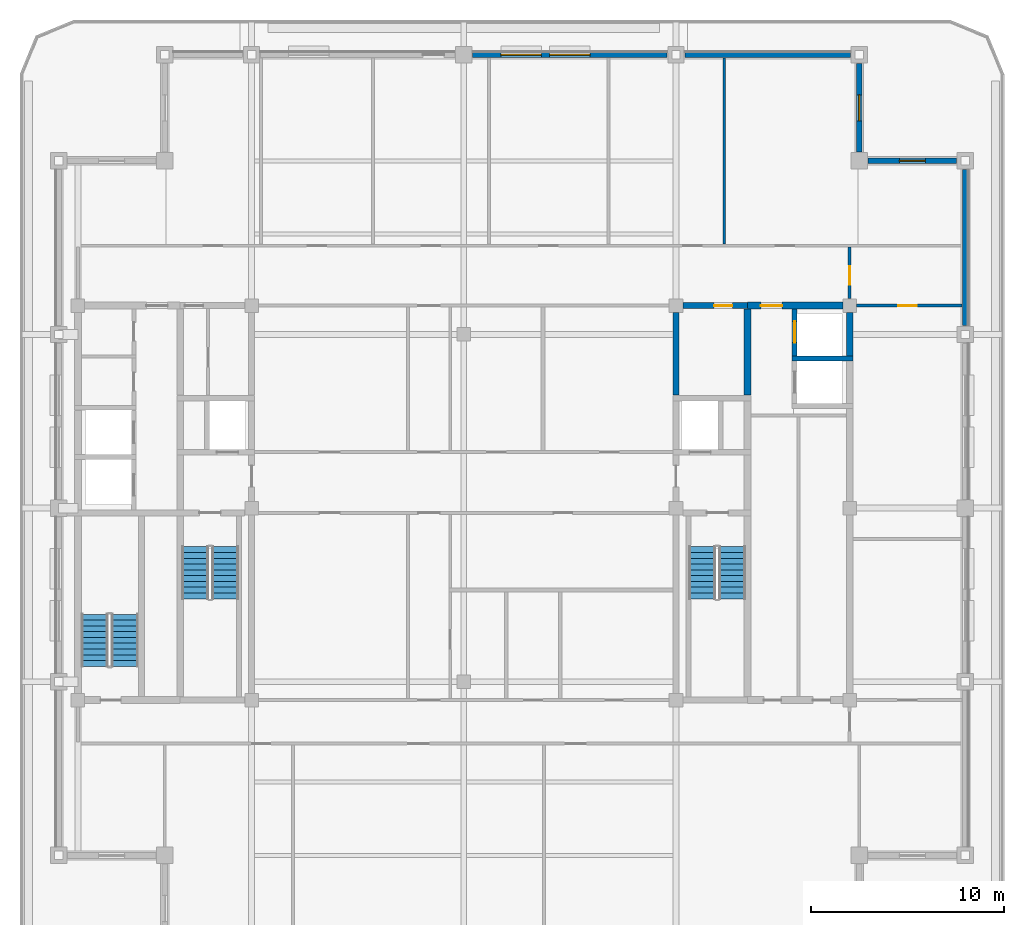
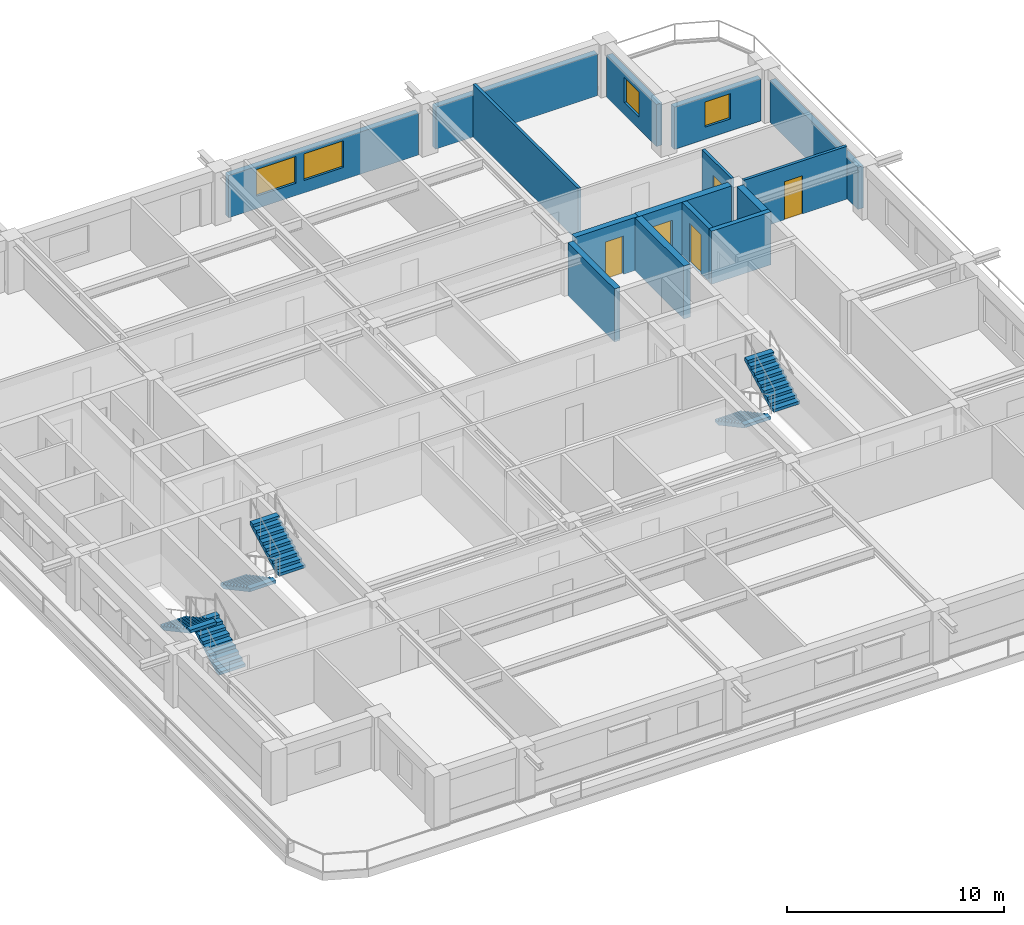
# One storey, part 6 of 11: 15 walls, 6 stair flights, 5 doors, 4 windows, 9 openings, 3 elements without a shape of their own.
"""IFC4 building model written with IfcOpenShell, lengths in metres."""

from ifc_helpers import new_model, si_unit, direction, frame, frame_2d, origin, place, context, subcontext, project, spatial, polyline, rectangle, outline, extrude, material, layer, layer_set, type_object, element, fill, aggregate, save


model = new_model("IFC4")

# Units and contexts
model_context = context("Model", 3, precision=1e-05, world=origin(), true_north=direction((0.0, 1.0)))
body_context = subcontext(model_context, "Body", "Model", "MODEL_VIEW")
ifc_project = project(units=[si_unit("LENGTHUNIT", "METRE"), si_unit("AREAUNIT", "SQUARE_METRE"), si_unit("VOLUMEUNIT", "CUBIC_METRE"), si_unit("PLANEANGLEUNIT", "RADIAN"), si_unit("MASSUNIT", "GRAM", prefix="KILO")], contexts=[model_context])

# Site, building, storey
site_placement = place(None, origin())
site = spatial("IfcSite", under=ifc_project, at=site_placement, CompositionType="ELEMENT")
building_placement = place(site_placement, origin())
building = spatial("IfcBuilding", under=site, at=building_placement, Name="Zulmaris Gate Convention Tower", CompositionType="ELEMENT")
storey_placement = place(building_placement, frame((0.0, 0.0, 239.739990234375)))
storey = spatial("IfcBuildingStorey", under=building, at=storey_placement, Name="L63", CompositionType="ELEMENT", Elevation=239.739990234375)

# Wall
ifc_material_1 = material(Name="Concrete C50/60", Category="concrete")
ifc_layer_1 = layer(ifc_material_1, 0.25, Name="Concrete C50/60")
ifc_layer_set_1 = layer_set([ifc_layer_1], Name="Concrete C50/60")
wall_type_1 = type_object("IfcWallType", Name="CORE-250", PredefinedType="SOLIDWALL", material=ifc_layer_set_1)
wall_1_placement = place(storey_placement, frame((17.02490234375, 7.75, 0.0), z_axis=(0.0, 0.0, 1.0), x_axis=(1.0, 0.0, 0.0)))
element("IfcWall", 1, at=wall_1_placement, inside=storey, type_object=wall_type_1, Name="WL-L63-014", PredefinedType="SOLIDWALL", context=body_context, shape_type="SweptSolid", body=[
    extrude(rectangle(XDim=3.150146484375, YDim=0.25, at=frame_2d((1.5751953125, 0.0))), origin(), (0.0, 0.0, 1.0), 2.97998046875),
])

# Wall, opening, door
wall_2_placement = place(storey_placement, frame((17.14990234375, 7.876953125, 0.0), z_axis=(0.0, 0.0, 1.0), x_axis=(0.0, 1.0, 0.0)))
wall_2 = element("IfcWall", 2, at=wall_2_placement, inside=storey, type_object=wall_type_1, Name="WL-L63-059", PredefinedType="SOLIDWALL", context=body_context, shape_type="SweptSolid", body=[
    extrude(rectangle(XDim=2.446044921875, YDim=0.25, at=frame_2d((1.22314453125, 0.0))), origin(), (0.0, 0.0, 1.0), 2.97998046875),
])
opening_1_placement = place(wall_2_placement, frame((0.697998046875, 0.0, 0.0)))
opening_1 = element("IfcOpeningElement", 3, at=opening_1_placement, cuts=wall_2, Name="Opening D-06", PredefinedType="OPENING", context=body_context, shape_type="SweptSolid", body=[
    extrude(rectangle(XDim=1.10009765625, YDim=2.199951171875, at=frame_2d((0.550048828125, 1.10009765625))), frame((0.0, 0.135009765625, 0.0), z_axis=(0.0, -1.0, 0.0), x_axis=(1.0, 0.0, 0.0)), (0.0, 0.0, 1.0), 0.27001953125),
])
ifc_material_2 = material(Name="Brushed Stainless Steel", Category="steel")
door_type_1 = type_object("IfcDoorType", Name="LD-1100", OperationType="NOTDEFINED", PredefinedType="DOOR", material=ifc_material_2)
door_1_placement = place(opening_1_placement, origin())
door_1 = element("IfcDoor", 4, at=door_1_placement, inside=storey, type_object=door_type_1, Name="L63 Lift Landing Door HP-02 17", OperationType="SLIDING_TO_RIGHT", OverallHeight=2.199951171875, OverallWidth=1.10009765625, PredefinedType="DOOR", context=body_context, shape_type="SweptSolid", body=[
    extrude(rectangle(XDim=1.10009765625, YDim=2.199951171875, at=frame_2d((0.550048828125, 1.10009765625))), frame((0.0, 0.02490234375, 0.0), z_axis=(0.0, -1.0, 0.0), x_axis=(1.0, 0.0, 0.0)), (0.0, 0.0, 1.0), 0.050048828125),
])
fill(opening_1, door_1)

ifc_layer_2 = layer(ifc_material_1, 0.300048828125, Name="Concrete C50/60")
ifc_layer_set_2 = layer_set([ifc_layer_2], Name="Concrete C50/60")
wall_type_2 = type_object("IfcWallType", Name="CORE-300", PredefinedType="SHEAR", material=ifc_layer_set_2)
wall_3_placement = place(storey_placement, frame((11.35400390625, 10.5, 0.0), z_axis=(0.0, 0.0, 1.0), x_axis=(1.0, 0.0, 0.0)))
wall_3 = element("IfcWall", 5, at=wall_3_placement, inside=storey, type_object=wall_type_2, Name="WL-L63-017", PredefinedType="SHEAR", context=body_context, shape_type="SweptSolid", body=[
    extrude(rectangle(XDim=3.345947265625, YDim=0.300048828125, at=frame_2d((1.6728515625, 0.0))), origin(), (0.0, 0.0, 1.0), 2.97998046875),
])
opening_2_placement = place(wall_3_placement, frame((1.62109375, 0.0, 0.0)))
opening_2 = element("IfcOpeningElement", 6, at=opening_2_placement, cuts=wall_3, Name="Opening D-11", PredefinedType="OPENING", context=body_context, shape_type="SweptSolid", body=[
    extrude(rectangle(XDim=0.949951171875, YDim=2.14990234375, at=frame_2d((0.47509765625, 1.074951171875))), frame((0.0, 0.16015625, 0.0), z_axis=(0.0, -1.0, 0.0), x_axis=(1.0, 0.0, 0.0)), (0.0, 0.0, 1.0), 0.320068359375),
])
ifc_material_3 = material(Name="Fire-Rated Timber", Category="wood")
door_type_2 = type_object("IfcDoorType", Name="DR-950-FD", OperationType="NOTDEFINED", PredefinedType="DOOR", material=ifc_material_3)
door_2_placement = place(opening_2_placement, origin())
door_2 = element("IfcDoor", 7, at=door_2_placement, inside=storey, type_object=door_type_2, Name="L63 Core Tea Pantry Door 09", OperationType="SINGLE_SWING_RIGHT", OverallHeight=2.14990234375, OverallWidth=0.949951171875, PredefinedType="DOOR", context=body_context, shape_type="SweptSolid", body=[
    extrude(rectangle(XDim=0.949951171875, YDim=2.14990234375, at=frame_2d((0.47509765625, 1.074951171875))), frame((0.0, 0.02490234375, 0.0), z_axis=(0.0, -1.0, 0.0), x_axis=(1.0, 0.0, 0.0)), (0.0, 0.0, 1.0), 0.050048828125),
])
fill(opening_2, door_2)

# Wall
wall_4_placement = place(storey_placement, frame((11.0, 5.85205078125, 0.0), z_axis=(0.0, 0.0, 1.0), x_axis=(0.0, 1.0, 0.0)))
element("IfcWall", 8, at=wall_4_placement, inside=storey, type_object=wall_type_2, Name="WL-L63-051", PredefinedType="SHEAR", context=body_context, shape_type="SweptSolid", body=[
    extrude(rectangle(XDim=4.2939453125, YDim=0.300048828125, at=frame_2d((2.14697265625, 0.0))), origin(), (0.0, 0.0, 1.0), 2.97998046875),
])

# Wall, opening, door
ifc_material_4 = material(Name="Concrete C55/67", Category="concrete")
ifc_layer_3 = layer(ifc_material_4, 0.35009765625, Name="Concrete C55/67")
ifc_layer_set_3 = layer_set([ifc_layer_3], Name="Concrete C55/67")
wall_type_3 = type_object("IfcWallType", Name="CORE-350", PredefinedType="SHEAR", material=ifc_layer_set_3)
wall_5_placement = place(storey_placement, frame((14.699951171875, 10.5, 0.0), z_axis=(0.0, 0.0, 1.0), x_axis=(1.0, 0.0, 0.0)))
wall_5 = element("IfcWall", 9, at=wall_5_placement, inside=storey, type_object=wall_type_3, Name="WL-L63-018", PredefinedType="SHEAR", context=body_context, shape_type="SweptSolid", body=[
    extrude(rectangle(XDim=4.946044921875, YDim=0.35009765625, at=frame_2d((2.47314453125, 0.0))), origin(), (0.0, 0.0, 1.0), 2.97998046875),
])
opening_3_placement = place(wall_5_placement, frame((0.699951171875, 0.0, 0.0)))
opening_3 = element("IfcOpeningElement", 10, at=opening_3_placement, cuts=wall_5, Name="Opening D-08", PredefinedType="OPENING", context=body_context, shape_type="SweptSolid", body=[
    extrude(rectangle(XDim=1.10009765625, YDim=2.14990234375, at=frame_2d((0.550048828125, 1.074951171875))), frame((0.0, 0.18505859375, 0.0), z_axis=(0.0, -1.0, 0.0), x_axis=(1.0, 0.0, 0.0)), (0.0, 0.0, 1.0), 0.3701171875),
])
ifc_material_5 = material(Name="Fire-Rated Steel", Category="steel")
door_type_3 = type_object("IfcDoorType", Name="DR-1100-FD", OperationType="NOTDEFINED", PredefinedType="DOOR", material=ifc_material_5)
door_3_placement = place(opening_3_placement, origin())
door_3 = element("IfcDoor", 11, at=door_3_placement, inside=storey, type_object=door_type_3, Name="L63 High-Rise East Lift Lobby Door 18", OperationType="SINGLE_SWING_LEFT", OverallHeight=2.14990234375, OverallWidth=1.10009765625, PredefinedType="DOOR", context=body_context, shape_type="SweptSolid", body=[
    extrude(rectangle(XDim=1.10009765625, YDim=2.14990234375, at=frame_2d((0.550048828125, 1.074951171875))), frame((0.0, 0.02490234375, 0.0), z_axis=(0.0, -1.0, 0.0), x_axis=(1.0, 0.0, 0.0)), (0.0, 0.0, 1.0), 0.050048828125),
])
fill(opening_3, door_3)

# Walls
wall_6_placement = place(storey_placement, frame((14.699951171875, 5.85205078125, 0.0), z_axis=(0.0, 0.0, 1.0), x_axis=(0.0, 1.0, 0.0)))
element("IfcWall", 12, at=wall_6_placement, inside=storey, type_object=wall_type_3, Name="WL-L63-057", PredefinedType="SHEAR", context=body_context, shape_type="SweptSolid", body=[
    extrude(rectangle(XDim=4.470947265625, YDim=0.35009765625, at=frame_2d((2.2353515625, 0.0))), origin(), (0.0, 0.0, 1.0), 2.97998046875),
])
wall_7_placement = place(storey_placement, frame((20.0, 7.876953125, 0.0), z_axis=(0.0, 0.0, 1.0), x_axis=(0.0, 1.0, 0.0)))
element("IfcWall", 13, at=wall_7_placement, inside=storey, type_object=wall_type_3, Name="WL-L63-062", PredefinedType="SHEAR", context=body_context, shape_type="SweptSolid", body=[
    extrude(rectangle(XDim=2.26904296875, YDim=0.35009765625, at=frame_2d((1.134521484375, 0.0))), origin(), (0.0, 0.0, 1.0), 2.97998046875),
])

# Wall, opening, door
ifc_material_6 = material(Name="Gypsum Metal Stud Partition")
ifc_layer_4 = layer(ifc_material_6, 0.14990234375, Name="Gypsum Metal Stud Partition")
ifc_layer_set_4 = layer_set([ifc_layer_4], Name="Gypsum Metal Stud Partition")
wall_type_4 = type_object("IfcWallType", Name="PART-150", PredefinedType="PARTITIONING", material=ifc_layer_set_4)
wall_8_placement = place(storey_placement, frame((20.35595703125, 10.5, 0.0), z_axis=(0.0, 0.0, 1.0), x_axis=(1.0, 0.0, 0.0)))
wall_8 = element("IfcWall", 14, at=wall_8_placement, inside=storey, type_object=wall_type_4, Name="WL-L63-029", PredefinedType="PARTITIONING", context=body_context, shape_type="SweptSolid", body=[
    extrude(rectangle(XDim=5.47900390625, YDim=0.14990234375, at=frame_2d((2.739501953125, 0.0))), origin(), (0.0, 0.0, 1.0), 2.97998046875),
])
opening_4_placement = place(wall_8_placement, frame((2.1689453125, 0.0, 0.0)))
opening_4 = element("IfcOpeningElement", 15, at=opening_4_placement, cuts=wall_8, Name="Opening D-11", PredefinedType="OPENING", context=body_context, shape_type="SweptSolid", body=[
    extrude(rectangle(XDim=0.949951171875, YDim=2.14990234375, at=frame_2d((0.47509765625, 1.074951171875))), frame((0.0, 0.0849609375, 0.0), z_axis=(0.0, -1.0, 0.0), x_axis=(1.0, 0.0, 0.0)), (0.0, 0.0, 1.0), 0.169921875),
])
door_4_placement = place(opening_4_placement, origin())
door_4 = element("IfcDoor", 16, at=door_4_placement, inside=storey, type_object=door_type_2, Name="L63 NE Partner Door 44", OperationType="SINGLE_SWING_LEFT", OverallHeight=2.14990234375, OverallWidth=0.949951171875, PredefinedType="DOOR", context=body_context, shape_type="SweptSolid", body=[
    extrude(rectangle(XDim=0.949951171875, YDim=2.14990234375, at=frame_2d((0.47509765625, 1.074951171875))), frame((0.0, 0.02490234375, 0.0), z_axis=(0.0, -1.0, 0.0), x_axis=(1.0, 0.0, 0.0)), (0.0, 0.0, 1.0), 0.050048828125),
])
fill(opening_4, door_4)

# Wall
wall_9_placement = place(storey_placement, frame((13.5, 13.677978515625, 0.0), z_axis=(0.0, 0.0, 1.0), x_axis=(0.0, 1.0, 0.0)))
element("IfcWall", 17, at=wall_9_placement, inside=storey, type_object=wall_type_4, Name="WL-L63-083", PredefinedType="PARTITIONING", context=body_context, shape_type="SweptSolid", body=[
    extrude(rectangle(XDim=9.656982421875, YDim=0.14990234375, at=frame_2d((4.82861328125, 0.0))), origin(), (0.0, 0.0, 1.0), 2.97998046875),
])

# Wall, opening, door
wall_10_placement = place(storey_placement, frame((20.0, 10.85595703125, 0.0), z_axis=(0.0, 0.0, 1.0), x_axis=(0.0, 1.0, 0.0)))
wall_10 = element("IfcWall", 18, at=wall_10_placement, inside=storey, type_object=wall_type_4, Name="WL-L63-086", PredefinedType="PARTITIONING", context=body_context, shape_type="SweptSolid", body=[
    extrude(rectangle(XDim=2.666015625, YDim=0.14990234375, at=frame_2d((1.3330078125, 0.0))), origin(), (0.0, 0.0, 1.0), 2.97998046875),
])
opening_5_placement = place(wall_10_placement, frame((0.718994140625, 0.0, 0.0)))
opening_5 = element("IfcOpeningElement", 19, at=opening_5_placement, cuts=wall_10, Name="Opening D-11", PredefinedType="OPENING", context=body_context, shape_type="SweptSolid", body=[
    extrude(rectangle(XDim=0.949951171875, YDim=2.14990234375, at=frame_2d((0.47509765625, 1.074951171875))), frame((0.0, 0.0849609375, 0.0), z_axis=(0.0, -1.0, 0.0), x_axis=(1.0, 0.0, 0.0)), (0.0, 0.0, 1.0), 0.169921875),
])
door_5_placement = place(opening_5_placement, origin())
door_5 = element("IfcDoor", 20, at=door_5_placement, inside=storey, type_object=door_type_2, Name="L63 NE Spur Door 42", OperationType="SINGLE_SWING_LEFT", OverallHeight=2.14990234375, OverallWidth=0.949951171875, PredefinedType="DOOR", context=body_context, shape_type="SweptSolid", body=[
    extrude(rectangle(XDim=0.949951171875, YDim=2.14990234375, at=frame_2d((0.47509765625, 1.074951171875))), frame((0.0, 0.02490234375, 0.0), z_axis=(0.0, -1.0, 0.0), x_axis=(1.0, 0.0, 0.0)), (0.0, 0.0, 1.0), 0.050048828125),
])
fill(opening_5, door_5)

# Wall, opening, window
ifc_material_7 = material(Name="Precast concrete C40/50", Category="concrete")
ifc_layer_5 = layer(ifc_material_7, 0.300048828125, Name="Precast concrete C40/50")
ifc_layer_set_5 = layer_set([ifc_layer_5], Name="Precast concrete C40/50")
wall_type_5 = type_object("IfcWallType", Name="PRECAST-PIER-300", PredefinedType="STANDARD", material=ifc_layer_set_5)
wall_11_placement = place(storey_placement, frame((25.544921875, 18.0, 0.0), z_axis=(0.0, 0.0, 1.0), x_axis=(-1.0, 0.0, 0.0)))
wall_11 = element("IfcWall", 21, at=wall_11_placement, inside=storey, type_object=wall_type_5, Name="EW-L63-NOTCH-NE1_0", PredefinedType="STANDARD", context=body_context, shape_type="SweptSolid", body=[
    extrude(rectangle(XDim=4.58984375, YDim=0.300048828125, at=frame_2d((2.294921875, 0.0))), origin(), (0.0, 0.0, 1.0), 2.3720703125),
])
opening_6_placement = place(wall_11_placement, frame((1.6201171875, 0.0, 0.679931640625)))
opening_6 = element("IfcOpeningElement", 22, at=opening_6_placement, cuts=wall_11, Name="Opening W-10", PredefinedType="OPENING", context=body_context, shape_type="SweptSolid", body=[
    extrude(rectangle(XDim=1.35009765625, YDim=1.419921875, at=frame_2d((0.675048828125, 0.7099609375))), frame((0.0, 0.16015625, 0.0), z_axis=(0.0, -1.0, 0.0), x_axis=(1.0, 0.0, 0.0)), (0.0, 0.0, 1.0), 0.320068359375),
])
ifc_material_8 = material(Name="Low-E Laminated Double Glazing in Aluminium Frame", Category="aluminium")
window_type_1 = type_object("IfcWindowType", Name="WIN-1350x2000", PartitioningType="SINGLE_PANEL", PredefinedType="WINDOW", material=ifc_material_8)
window_1_placement = place(opening_6_placement, origin())
window_1 = element("IfcWindow", 23, at=window_1_placement, inside=storey, type_object=window_type_1, Name="WN-EW-L63-NOTCH-NE1_0", OverallHeight=1.419921875, OverallWidth=1.35009765625, PartitioningType="SINGLE_PANEL", PredefinedType="WINDOW", context=body_context, shape_type="SweptSolid", body=[
    extrude(rectangle(XDim=1.35009765625, YDim=1.419921875, at=frame_2d((0.675048828125, 0.7099609375))), frame((0.0, 0.030029296875, 0.0), z_axis=(0.0, -1.0, 0.0), x_axis=(1.0, 0.0, 0.0)), (0.0, 0.0, 1.0), 0.06005859375),
])
fill(opening_6, window_1)

wall_12_placement = place(storey_placement, frame((20.5, 18.455078125, 0.0), z_axis=(0.0, 0.0, 1.0), x_axis=(0.0, 1.0, 0.0)))
wall_12 = element("IfcWall", 24, at=wall_12_placement, inside=storey, type_object=wall_type_5, Name="EW-L63-NOTCH-NE2_0", PredefinedType="STANDARD", context=body_context, shape_type="SweptSolid", body=[
    extrude(rectangle(XDim=4.58984375, YDim=0.300048828125, at=frame_2d((2.294921875, 0.0))), origin(), (0.0, 0.0, 1.0), 2.3720703125),
])
opening_7_placement = place(wall_12_placement, frame((1.6201171875, 0.0, 0.679931640625)))
opening_7 = element("IfcOpeningElement", 25, at=opening_7_placement, cuts=wall_12, Name="Opening W-10", PredefinedType="OPENING", context=body_context, shape_type="SweptSolid", body=[
    extrude(rectangle(XDim=1.35009765625, YDim=1.419921875, at=frame_2d((0.675048828125, 0.7099609375))), frame((0.0, 0.16015625, 0.0), z_axis=(0.0, -1.0, 0.0), x_axis=(1.0, 0.0, 0.0)), (0.0, 0.0, 1.0), 0.320068359375),
])
window_2_placement = place(opening_7_placement, origin())
window_2 = element("IfcWindow", 26, at=window_2_placement, inside=storey, type_object=window_type_1, Name="WN-EW-L63-NOTCH-NE2_0", OverallHeight=1.419921875, OverallWidth=1.35009765625, PartitioningType="SINGLE_PANEL", PredefinedType="WINDOW", context=body_context, shape_type="SweptSolid", body=[
    extrude(rectangle(XDim=1.35009765625, YDim=1.419921875, at=frame_2d((0.675048828125, 0.7099609375))), frame((0.0, 0.030029296875, 0.0), z_axis=(0.0, -1.0, 0.0), x_axis=(1.0, 0.0, 0.0)), (0.0, 0.0, 1.0), 0.06005859375),
])
fill(opening_7, window_2)

# Wall, openings, windows
wall_13_placement = place(storey_placement, frame((10.544921875, 23.5, 0.0), z_axis=(0.0, 0.0, 1.0), x_axis=(-1.0, 0.0, 0.0)))
wall_13 = element("IfcWall", 27, at=wall_13_placement, inside=storey, type_object=wall_type_5, Name="EW-L63-N-2_0", PredefinedType="STANDARD", context=body_context, shape_type="SweptSolid", body=[
    extrude(rectangle(XDim=10.08984375, YDim=0.300048828125, at=frame_2d((5.044921875, 0.0))), origin(), (0.0, 0.0, 1.0), 2.3720703125),
])
opening_8_placement = place(wall_13_placement, frame((3.9951171875, 0.0, 0.699951171875)))
opening_8 = element("IfcOpeningElement", 28, at=opening_8_placement, cuts=wall_13, Name="Opening W-05", PredefinedType="OPENING", context=body_context, shape_type="SweptSolid", body=[
    extrude(rectangle(XDim=2.10009765625, YDim=1.5, at=frame_2d((1.050048828125, 0.75))), frame((0.0, 0.16015625, 0.0), z_axis=(0.0, -1.0, 0.0), x_axis=(1.0, 0.0, 0.0)), (0.0, 0.0, 1.0), 0.320068359375),
])
opening_9_placement = place(wall_13_placement, frame((6.51806640625, 0.0, 0.699951171875)))
opening_9 = element("IfcOpeningElement", 29, at=opening_9_placement, cuts=wall_13, Name="Opening W-05", PredefinedType="OPENING", context=body_context, shape_type="SweptSolid", body=[
    extrude(rectangle(XDim=2.10009765625, YDim=1.5, at=frame_2d((1.050048828125, 0.75))), frame((0.0, 0.16015625, 0.0), z_axis=(0.0, -1.0, 0.0), x_axis=(1.0, 0.0, 0.0)), (0.0, 0.0, 1.0), 0.320068359375),
])
window_type_2 = type_object("IfcWindowType", Name="WIN-2100x2400", PartitioningType="SINGLE_PANEL", PredefinedType="WINDOW", material=ifc_material_8)
window_3_placement = place(opening_8_placement, origin())
window_3 = element("IfcWindow", 30, at=window_3_placement, inside=storey, type_object=window_type_2, Name="WN-EW-L63-N-2_0-2", OverallHeight=1.5, OverallWidth=2.10009765625, PartitioningType="SINGLE_PANEL", PredefinedType="WINDOW", context=body_context, shape_type="SweptSolid", body=[
    extrude(rectangle(XDim=2.10009765625, YDim=1.5, at=frame_2d((1.050048828125, 0.75))), frame((0.0, 0.030029296875, 0.0), z_axis=(0.0, -1.0, 0.0), x_axis=(1.0, 0.0, 0.0)), (0.0, 0.0, 1.0), 0.06005859375),
])
fill(opening_8, window_3)
window_4_placement = place(opening_9_placement, origin())
window_4 = element("IfcWindow", 31, at=window_4_placement, inside=storey, type_object=window_type_2, Name="WN-EW-L63-N-2_0-3", OverallHeight=1.5, OverallWidth=2.10009765625, PartitioningType="SINGLE_PANEL", PredefinedType="WINDOW", context=body_context, shape_type="SweptSolid", body=[
    extrude(rectangle(XDim=2.10009765625, YDim=1.5, at=frame_2d((1.050048828125, 0.75))), frame((0.0, 0.030029296875, 0.0), z_axis=(0.0, -1.0, 0.0), x_axis=(1.0, 0.0, 0.0)), (0.0, 0.0, 1.0), 0.06005859375),
])
fill(opening_9, window_4)

# Walls
wall_14_placement = place(storey_placement, frame((20.044921875, 23.5, 0.0), z_axis=(0.0, 0.0, 1.0), x_axis=(-1.0, 0.0, 0.0)))
element("IfcWall", 32, at=wall_14_placement, inside=storey, type_object=wall_type_5, Name="EW-L63-N-3_0", PredefinedType="STANDARD", context=body_context, shape_type="SweptSolid", body=[
    extrude(rectangle(XDim=8.58984375, YDim=0.300048828125, at=frame_2d((4.294921875, 0.0))), origin(), (0.0, 0.0, 1.0), 2.3720703125),
])
wall_15_placement = place(storey_placement, frame((26.0, 9.455078125, 0.0), z_axis=(0.0, 0.0, 1.0), x_axis=(0.0, 1.0, 0.0)))
element("IfcWall", 33, at=wall_15_placement, inside=storey, type_object=wall_type_5, Name="EW-L63-E-3_0", PredefinedType="STANDARD", context=body_context, shape_type="SweptSolid", body=[
    extrude(rectangle(XDim=8.08984375, YDim=0.300048828125, at=frame_2d((4.044921875, 0.0))), origin(), (0.0, 0.0, 1.0), 2.3720703125),
])

# Stair, stair flights
ifc_material_9 = material(Name="Concrete C45/55", Category="concrete")
stair_type = type_object("IfcStairType", Name="ST-CORE-DOGLEG", PredefinedType="HALF_TURN_STAIR", material=ifc_material_9)
stair_1_placement = place(storey_placement, origin())
stair_1 = element("IfcStair", 34, at=stair_1_placement, inside=storey, type_object=stair_type, Name="L63 Core Exit Stair ST-1", PredefinedType="HALF_TURN_STAIR")
ifc_layer_6 = layer(ifc_material_9, 0.14990234375, Name="Concrete C45/55")
ifc_layer_set_6 = layer_set([ifc_layer_6], Name="Concrete C45/55")
stair_flight_type = type_object("IfcStairFlightType", Name="STF-RC150", PredefinedType="STRAIGHT", material=ifc_layer_set_6)
stair_flight_1_placement = place(storey_placement, frame((-13.919921875, -2.0, 0.0), z_axis=(0.0, 0.0, 1.0), x_axis=(0.0, -1.0, 0.0)))
stair_flight_1 = element("IfcStairFlight", 35, at=stair_flight_1_placement, type_object=stair_flight_type, Name="ST-1 flight 1", NumberOfRisers=10, NumberOfTreads=9, PredefinedType="STRAIGHT", RiserHeight=0.1615, TreadLength=0.3, context=body_context, shape_type="SweptSolid", body=[
    extrude(outline(polyline([(0.0, 0.0), (0.0, 0.16162109375), (0.300048828125, 0.16162109375), (0.300048828125, 0.322998046875), (0.60009765625, 0.322998046875), (0.60009765625, 0.484619140625), (0.89990234375, 0.484619140625), (0.89990234375, 0.64599609375), (1.199951171875, 0.64599609375), (1.199951171875, 0.8076171875), (1.5, 0.8076171875), (1.5, 0.968994140625), (1.800048828125, 0.968994140625), (1.800048828125, 1.130615234375), (2.10009765625, 1.130615234375), (2.10009765625, 1.2919921875), (2.39990234375, 1.2919921875), (2.39990234375, 1.45361328125), (2.699951171875, 1.45361328125), (2.699951171875, 1.614990234375), (2.699951171875, 1.283203125), (0.316162109375, 0.0), (0.0, 0.0)])), frame((0.0, 0.699951171875, 0.0), z_axis=(0.0, -1.0, 0.0), x_axis=(1.0, 0.0, 0.0)), (0.0, 0.0, 1.0), 1.39990234375),
])
stair_flight_2_placement = place(storey_placement, frame((-12.360107421875, -4.699951171875, 1.614990234375), z_axis=(0.0, 0.0, 1.0), x_axis=(0.0, 1.0, 0.0)))
stair_flight_2 = element("IfcStairFlight", 36, at=stair_flight_2_placement, type_object=stair_flight_type, Name="ST-1 flight 2", NumberOfRisers=10, NumberOfTreads=9, PredefinedType="STRAIGHT", RiserHeight=0.1615, TreadLength=0.3, context=body_context, shape_type="SweptSolid", body=[
    extrude(outline(polyline([(0.0, 0.0), (0.0, 0.16162109375), (0.300048828125, 0.16162109375), (0.300048828125, 0.322998046875), (0.60009765625, 0.322998046875), (0.60009765625, 0.484619140625), (0.89990234375, 0.484619140625), (0.89990234375, 0.64599609375), (1.199951171875, 0.64599609375), (1.199951171875, 0.8076171875), (1.5, 0.8076171875), (1.5, 0.968994140625), (1.800048828125, 0.968994140625), (1.800048828125, 1.130615234375), (2.10009765625, 1.130615234375), (2.10009765625, 1.2919921875), (2.39990234375, 1.2919921875), (2.39990234375, 1.45361328125), (2.699951171875, 1.45361328125), (2.699951171875, 1.614990234375), (2.699951171875, 1.283203125), (0.316162109375, 0.0), (0.0, 0.0)])), frame((0.0, 0.699951171875, 0.0), z_axis=(0.0, -1.0, 0.0), x_axis=(1.0, 0.0, 0.0)), (0.0, 0.0, 1.0), 1.39990234375),
])
aggregate(stair_1, [stair_flight_1, stair_flight_2])

stair_2_placement = place(storey_placement, origin())
stair_2 = element("IfcStair", 37, at=stair_2_placement, inside=storey, type_object=stair_type, Name="L63 Core Exit Stair ST-2", PredefinedType="HALF_TURN_STAIR")
stair_flight_3_placement = place(storey_placement, frame((12.360107421875, -2.0, 0.0), z_axis=(0.0, 0.0, 1.0), x_axis=(0.0, -1.0, 0.0)))
stair_flight_3 = element("IfcStairFlight", 38, at=stair_flight_3_placement, type_object=stair_flight_type, Name="ST-2 flight 1", NumberOfRisers=10, NumberOfTreads=9, PredefinedType="STRAIGHT", RiserHeight=0.1615, TreadLength=0.3, context=body_context, shape_type="SweptSolid", body=[
    extrude(outline(polyline([(0.0, 0.0), (0.0, 0.16162109375), (0.300048828125, 0.16162109375), (0.300048828125, 0.322998046875), (0.60009765625, 0.322998046875), (0.60009765625, 0.484619140625), (0.89990234375, 0.484619140625), (0.89990234375, 0.64599609375), (1.199951171875, 0.64599609375), (1.199951171875, 0.8076171875), (1.5, 0.8076171875), (1.5, 0.968994140625), (1.800048828125, 0.968994140625), (1.800048828125, 1.130615234375), (2.10009765625, 1.130615234375), (2.10009765625, 1.2919921875), (2.39990234375, 1.2919921875), (2.39990234375, 1.45361328125), (2.699951171875, 1.45361328125), (2.699951171875, 1.614990234375), (2.699951171875, 1.283203125), (0.316162109375, 0.0), (0.0, 0.0)])), frame((0.0, 0.699951171875, 0.0), z_axis=(0.0, -1.0, 0.0), x_axis=(1.0, 0.0, 0.0)), (0.0, 0.0, 1.0), 1.39990234375),
])
stair_flight_4_placement = place(storey_placement, frame((13.919921875, -4.699951171875, 1.614990234375), z_axis=(0.0, 0.0, 1.0), x_axis=(0.0, 1.0, 0.0)))
stair_flight_4 = element("IfcStairFlight", 39, at=stair_flight_4_placement, type_object=stair_flight_type, Name="ST-2 flight 2", NumberOfRisers=10, NumberOfTreads=9, PredefinedType="STRAIGHT", RiserHeight=0.1615, TreadLength=0.3, context=body_context, shape_type="SweptSolid", body=[
    extrude(outline(polyline([(0.0, 0.0), (0.0, 0.16162109375), (0.300048828125, 0.16162109375), (0.300048828125, 0.322998046875), (0.60009765625, 0.322998046875), (0.60009765625, 0.484619140625), (0.89990234375, 0.484619140625), (0.89990234375, 0.64599609375), (1.199951171875, 0.64599609375), (1.199951171875, 0.8076171875), (1.5, 0.8076171875), (1.5, 0.968994140625), (1.800048828125, 0.968994140625), (1.800048828125, 1.130615234375), (2.10009765625, 1.130615234375), (2.10009765625, 1.2919921875), (2.39990234375, 1.2919921875), (2.39990234375, 1.45361328125), (2.699951171875, 1.45361328125), (2.699951171875, 1.614990234375), (2.699951171875, 1.283203125), (0.316162109375, 0.0), (0.0, 0.0)])), frame((0.0, 0.699951171875, 0.0), z_axis=(0.0, -1.0, 0.0), x_axis=(1.0, 0.0, 0.0)), (0.0, 0.0, 1.0), 1.39990234375),
])
aggregate(stair_2, [stair_flight_3, stair_flight_4])

stair_3_placement = place(storey_placement, origin())
stair_3 = element("IfcStair", 40, at=stair_3_placement, inside=storey, type_object=stair_type, Name="L63 Core Exit Stair ST-3", PredefinedType="HALF_TURN_STAIR")
stair_flight_5_placement = place(storey_placement, frame((-17.56005859375, -8.199951171875, 0.0), z_axis=(0.0, 0.0, 1.0), x_axis=(0.0, 1.0, 0.0)))
stair_flight_5 = element("IfcStairFlight", 41, at=stair_flight_5_placement, type_object=stair_flight_type, Name="ST-3 flight 1", NumberOfRisers=10, NumberOfTreads=9, PredefinedType="STRAIGHT", RiserHeight=0.1615, TreadLength=0.3, context=body_context, shape_type="SweptSolid", body=[
    extrude(outline(polyline([(0.0, 0.0), (0.0, 0.16162109375), (0.300048828125, 0.16162109375), (0.300048828125, 0.322998046875), (0.60009765625, 0.322998046875), (0.60009765625, 0.484619140625), (0.89990234375, 0.484619140625), (0.89990234375, 0.64599609375), (1.199951171875, 0.64599609375), (1.199951171875, 0.8076171875), (1.5, 0.8076171875), (1.5, 0.968994140625), (1.800048828125, 0.968994140625), (1.800048828125, 1.130615234375), (2.10009765625, 1.130615234375), (2.10009765625, 1.2919921875), (2.39990234375, 1.2919921875), (2.39990234375, 1.45361328125), (2.699951171875, 1.45361328125), (2.699951171875, 1.614990234375), (2.699951171875, 1.283203125), (0.316162109375, 0.0), (0.0, 0.0)])), frame((0.0, 0.699951171875, 0.0), z_axis=(0.0, -1.0, 0.0), x_axis=(1.0, 0.0, 0.0)), (0.0, 0.0, 1.0), 1.39990234375),
])
stair_flight_6_placement = place(storey_placement, frame((-19.1201171875, -5.5, 1.614990234375), z_axis=(0.0, 0.0, 1.0), x_axis=(0.0, -1.0, 0.0)))
stair_flight_6 = element("IfcStairFlight", 42, at=stair_flight_6_placement, type_object=stair_flight_type, Name="ST-3 flight 2", NumberOfRisers=10, NumberOfTreads=9, PredefinedType="STRAIGHT", RiserHeight=0.1615, TreadLength=0.3, context=body_context, shape_type="SweptSolid", body=[
    extrude(outline(polyline([(0.0, 0.0), (0.0, 0.16162109375), (0.300048828125, 0.16162109375), (0.300048828125, 0.322998046875), (0.60009765625, 0.322998046875), (0.60009765625, 0.484619140625), (0.89990234375, 0.484619140625), (0.89990234375, 0.64599609375), (1.199951171875, 0.64599609375), (1.199951171875, 0.8076171875), (1.5, 0.8076171875), (1.5, 0.968994140625), (1.800048828125, 0.968994140625), (1.800048828125, 1.130615234375), (2.10009765625, 1.130615234375), (2.10009765625, 1.2919921875), (2.39990234375, 1.2919921875), (2.39990234375, 1.45361328125), (2.699951171875, 1.45361328125), (2.699951171875, 1.614990234375), (2.699951171875, 1.283203125), (0.316162109375, 0.0), (0.0, 0.0)])), frame((0.0, 0.699951171875, 0.0), z_axis=(0.0, -1.0, 0.0), x_axis=(1.0, 0.0, 0.0)), (0.0, 0.0, 1.0), 1.39990234375),
])
aggregate(stair_3, [stair_flight_5, stair_flight_6])

save(model, "model.ifc")
